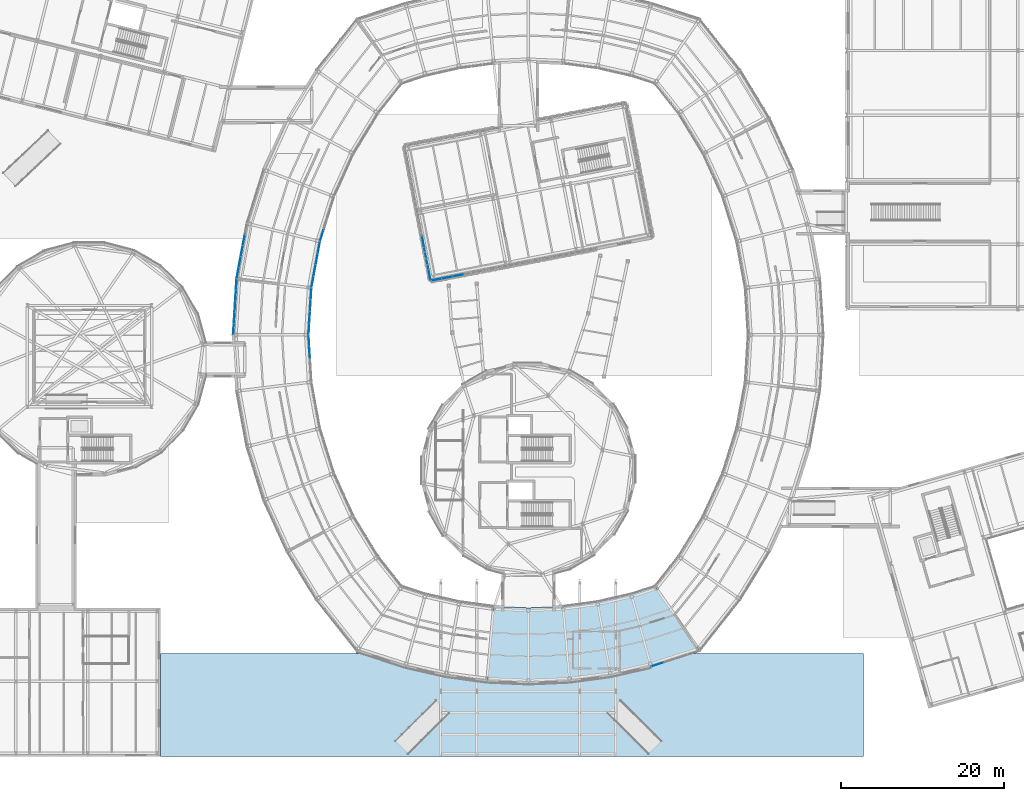
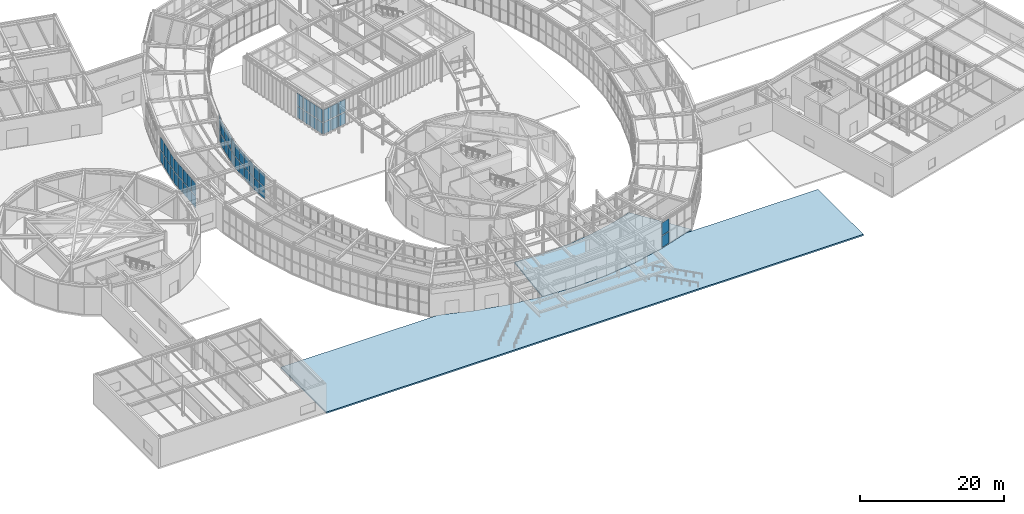
# One storey, part 57 of 97: 56 plates, 2 slabs, 9 elements without a shape of their own.
"""IFC4 building model written with IfcOpenShell, lengths in metres."""

from ifc_helpers import new_model, si_unit, direction, frame, origin, origin_2d, place, context, subcontext, project, spatial, polyline, rectangle, outline, extrude, material, layer, layer_set, type_object, element, aggregate, save


model = new_model("IFC4")

# Units and contexts
model_context = context("Model", 3, precision=1e-05, world=origin(), true_north=direction((0.0, 1.0)))
body_context = subcontext(model_context, "Body", "Model", "MODEL_VIEW")
ifc_project = project(units=[si_unit("LENGTHUNIT", "METRE"), si_unit("AREAUNIT", "SQUARE_METRE"), si_unit("VOLUMEUNIT", "CUBIC_METRE"), si_unit("PLANEANGLEUNIT", "RADIAN"), si_unit("MASSUNIT", "GRAM", prefix="KILO")], contexts=[model_context])

# Site, building, storey
site_placement = place(None, origin())
site = spatial("IfcSite", under=ifc_project, at=site_placement, CompositionType="ELEMENT")
building_placement = place(site_placement, origin())
building = spatial("IfcBuilding", under=site, at=building_placement, Name="Varnklinge Art Gallery", CompositionType="ELEMENT")
storey_placement = place(building_placement, origin())
storey = spatial("IfcBuildingStorey", under=building, at=storey_placement, Name="L00", CompositionType="ELEMENT", Elevation=0.0)

# Curtain wall, plates
ifc_material_1 = material(Name="Anodised Aluminium", Category="aluminium")
curtain_wall_type_1 = type_object("IfcCurtainWallType", Name="CW-R03", PredefinedType="USERDEFINED", material=ifc_material_1)
curtain_wall_1_placement = place(storey_placement, origin())
curtain_wall_1 = element("IfcCurtainWall", 1, at=curtain_wall_1_placement, inside=storey, type_object=curtain_wall_type_1, Name="L00 Curtain Wall CW-V2I-L00-24", ObjectType="UNITISED CURTAIN WALL", PredefinedType="USERDEFINED")
ifc_material_2 = material(Name="Insulated Low-E Triple Glazing", Category="glass")
ifc_layer_1 = layer(ifc_material_2, 0.031982421875)
ifc_layer_set_1 = layer_set([ifc_layer_1], Name="Insulated Low-E Triple Glazing")
plate_type_1 = type_object("IfcPlateType", Name="GLZ-32", PredefinedType="CURTAIN_PANEL", material=ifc_layer_set_1)
plate_1_placement = place(storey_placement, frame((50.2275390625, 67.129638671875, 0.1181640625), z_axis=(0.0, 0.0, 1.0), x_axis=(0.299706904751, 0.954031326134, 0.0)))
plate_1 = element("IfcPlate", 2, at=plate_1_placement, type_object=plate_type_1, Name="CW-V2I-L00-24 Glazing Panel 1.1", PredefinedType="CURTAIN_PANEL", context=body_context, shape_type="SweptSolid", body=[
    extrude(rectangle(XDim=1.355712890625, YDim=0.031982421875, at=origin_2d()), origin(), (0.0, 0.0, 1.0), 1.950439453125),
])
plate_2_placement = place(storey_placement, frame((50.2275390625, 67.129638671875, 2.1845703125), z_axis=(0.0, 0.0, 1.0), x_axis=(0.299706904751, 0.954031326134, 0.0)))
plate_2 = element("IfcPlate", 3, at=plate_2_placement, type_object=plate_type_1, Name="CW-V2I-L00-24 Glazing Panel 1.2", PredefinedType="CURTAIN_PANEL", context=body_context, shape_type="SweptSolid", body=[
    extrude(rectangle(XDim=1.355712890625, YDim=0.031982421875, at=origin_2d()), origin(), (0.0, 0.0, 1.0), 2.127685546875),
])
aggregate(curtain_wall_1, [plate_1, plate_2])

curtain_wall_2_placement = place(storey_placement, origin())
curtain_wall_2 = element("IfcCurtainWall", 4, at=curtain_wall_2_placement, inside=storey, type_object=curtain_wall_type_1, Name="L00 Curtain Wall CW-V2I-L00-25", ObjectType="UNITISED CURTAIN WALL", PredefinedType="USERDEFINED")
plate_3_placement = place(storey_placement, frame((49.093017578125, 61.47998046875, 0.1181640625), z_axis=(0.0, 0.0, 1.0), x_axis=(0.181549039717, 0.983381892338, 0.0)))
plate_3 = element("IfcPlate", 5, at=plate_3_placement, type_object=plate_type_1, Name="CW-V2I-L00-25 Glazing Panel 1.1", PredefinedType="CURTAIN_PANEL", context=body_context, shape_type="SweptSolid", body=[
    extrude(rectangle(XDim=1.355712890625, YDim=0.031982421875, at=origin_2d()), origin(), (0.0, 0.0, 1.0), 1.950439453125),
])
plate_4_placement = place(storey_placement, frame((49.093017578125, 61.47998046875, 2.1845703125), z_axis=(0.0, 0.0, 1.0), x_axis=(0.181549039717, 0.983381892338, 0.0)))
plate_4 = element("IfcPlate", 6, at=plate_4_placement, type_object=plate_type_1, Name="CW-V2I-L00-25 Glazing Panel 1.2", PredefinedType="CURTAIN_PANEL", context=body_context, shape_type="SweptSolid", body=[
    extrude(rectangle(XDim=1.355712890625, YDim=0.031982421875, at=origin_2d()), origin(), (0.0, 0.0, 1.0), 2.127685546875),
])
plate_5_placement = place(storey_placement, frame((49.352294921875, 62.883056640625, 0.1181640625), z_axis=(0.0, 0.0, 1.0), x_axis=(0.181549039717, 0.983381892338, 0.0)))
plate_5 = element("IfcPlate", 7, at=plate_5_placement, type_object=plate_type_1, Name="CW-V2I-L00-25 Glazing Panel 2.1", PredefinedType="CURTAIN_PANEL", context=body_context, shape_type="SweptSolid", body=[
    extrude(rectangle(XDim=1.3857421875, YDim=0.031982421875, at=origin_2d()), origin(), (0.0, 0.0, 1.0), 1.950439453125),
])
plate_6_placement = place(storey_placement, frame((49.352294921875, 62.883056640625, 2.1845703125), z_axis=(0.0, 0.0, 1.0), x_axis=(0.181549039717, 0.983381892338, 0.0)))
plate_6 = element("IfcPlate", 8, at=plate_6_placement, type_object=plate_type_1, Name="CW-V2I-L00-25 Glazing Panel 2.2", PredefinedType="CURTAIN_PANEL", context=body_context, shape_type="SweptSolid", body=[
    extrude(rectangle(XDim=1.3857421875, YDim=0.031982421875, at=origin_2d()), origin(), (0.0, 0.0, 1.0), 2.127685546875),
])
plate_7_placement = place(storey_placement, frame((49.614013671875, 64.30078125, 0.1181640625), z_axis=(0.0, 0.0, 1.0), x_axis=(0.181549039717, 0.983381892338, 0.0)))
plate_7 = element("IfcPlate", 9, at=plate_7_placement, type_object=plate_type_1, Name="CW-V2I-L00-25 Glazing Panel 3.1", PredefinedType="CURTAIN_PANEL", context=body_context, shape_type="SweptSolid", body=[
    extrude(rectangle(XDim=1.3857421875, YDim=0.031982421875, at=origin_2d()), origin(), (0.0, 0.0, 1.0), 1.950439453125),
])
plate_8_placement = place(storey_placement, frame((49.614013671875, 64.30078125, 2.1845703125), z_axis=(0.0, 0.0, 1.0), x_axis=(0.181549039717, 0.983381892338, 0.0)))
plate_8 = element("IfcPlate", 10, at=plate_8_placement, type_object=plate_type_1, Name="CW-V2I-L00-25 Glazing Panel 3.2", PredefinedType="CURTAIN_PANEL", context=body_context, shape_type="SweptSolid", body=[
    extrude(rectangle(XDim=1.3857421875, YDim=0.031982421875, at=origin_2d()), origin(), (0.0, 0.0, 1.0), 2.127685546875),
])
plate_9_placement = place(storey_placement, frame((49.873291015625, 65.703857421875, 0.1181640625), z_axis=(0.0, 0.0, 1.0), x_axis=(0.181549039717, 0.983381892338, 0.0)))
plate_9 = element("IfcPlate", 11, at=plate_9_placement, type_object=plate_type_1, Name="CW-V2I-L00-25 Glazing Panel 4.1", PredefinedType="CURTAIN_PANEL", context=body_context, shape_type="SweptSolid", body=[
    extrude(rectangle(XDim=1.355712890625, YDim=0.031982421875, at=origin_2d()), origin(), (0.0, 0.0, 1.0), 1.950439453125),
])
plate_10_placement = place(storey_placement, frame((49.873291015625, 65.703857421875, 2.1845703125), z_axis=(0.0, 0.0, 1.0), x_axis=(0.181549039717, 0.983381892338, 0.0)))
plate_10 = element("IfcPlate", 12, at=plate_10_placement, type_object=plate_type_1, Name="CW-V2I-L00-25 Glazing Panel 4.2", PredefinedType="CURTAIN_PANEL", context=body_context, shape_type="SweptSolid", body=[
    extrude(rectangle(XDim=1.355712890625, YDim=0.031982421875, at=origin_2d()), origin(), (0.0, 0.0, 1.0), 2.127685546875),
])
aggregate(curtain_wall_2, [plate_3, plate_4, plate_5, plate_6, plate_7, plate_8, plate_9, plate_10])

curtain_wall_3_placement = place(storey_placement, origin())
curtain_wall_3 = element("IfcCurtainWall", 13, at=curtain_wall_3_placement, inside=storey, type_object=curtain_wall_type_1, Name="L00 Curtain Wall CW-V2I-L00-26", ObjectType="UNITISED CURTAIN WALL", PredefinedType="USERDEFINED")
plate_11_placement = place(storey_placement, frame((48.6533203125, 55.734619140625, 0.1181640625), z_axis=(0.0, 0.0, 1.0), x_axis=(0.06087433122, 0.9981454382, 0.0)))
plate_11 = element("IfcPlate", 14, at=plate_11_placement, type_object=plate_type_1, Name="CW-V2I-L00-26 Glazing Panel 1.1", PredefinedType="CURTAIN_PANEL", context=body_context, shape_type="SweptSolid", body=[
    extrude(rectangle(XDim=1.355712890625, YDim=0.031982421875, at=origin_2d()), origin(), (0.0, 0.0, 1.0), 1.950439453125),
])
plate_12_placement = place(storey_placement, frame((48.6533203125, 55.734619140625, 2.1845703125), z_axis=(0.0, 0.0, 1.0), x_axis=(0.06087433122, 0.9981454382, 0.0)))
plate_12 = element("IfcPlate", 15, at=plate_12_placement, type_object=plate_type_1, Name="CW-V2I-L00-26 Glazing Panel 1.2", PredefinedType="CURTAIN_PANEL", context=body_context, shape_type="SweptSolid", body=[
    extrude(rectangle(XDim=1.355712890625, YDim=0.031982421875, at=origin_2d()), origin(), (0.0, 0.0, 1.0), 2.127685546875),
])
plate_13_placement = place(storey_placement, frame((48.739990234375, 57.15869140625, 0.1181640625), z_axis=(0.0, 0.0, 1.0), x_axis=(0.06087433122, 0.9981454382, 0.0)))
plate_13 = element("IfcPlate", 16, at=plate_13_placement, type_object=plate_type_1, Name="CW-V2I-L00-26 Glazing Panel 2.1", PredefinedType="CURTAIN_PANEL", context=body_context, shape_type="SweptSolid", body=[
    extrude(rectangle(XDim=1.3857421875, YDim=0.031982421875, at=origin_2d()), origin(), (0.0, 0.0, 1.0), 1.950439453125),
])
plate_14_placement = place(storey_placement, frame((48.739990234375, 57.15869140625, 2.1845703125), z_axis=(0.0, 0.0, 1.0), x_axis=(0.06087433122, 0.9981454382, 0.0)))
plate_14 = element("IfcPlate", 17, at=plate_14_placement, type_object=plate_type_1, Name="CW-V2I-L00-26 Glazing Panel 2.2", PredefinedType="CURTAIN_PANEL", context=body_context, shape_type="SweptSolid", body=[
    extrude(rectangle(XDim=1.3857421875, YDim=0.031982421875, at=origin_2d()), origin(), (0.0, 0.0, 1.0), 2.127685546875),
])
plate_15_placement = place(storey_placement, frame((48.827880859375, 58.59765625, 0.1181640625), z_axis=(0.0, 0.0, 1.0), x_axis=(0.06087433122, 0.9981454382, 0.0)))
plate_15 = element("IfcPlate", 18, at=plate_15_placement, type_object=plate_type_1, Name="CW-V2I-L00-26 Glazing Panel 3.1", PredefinedType="CURTAIN_PANEL", context=body_context, shape_type="SweptSolid", body=[
    extrude(rectangle(XDim=1.3857421875, YDim=0.031982421875, at=origin_2d()), origin(), (0.0, 0.0, 1.0), 1.950439453125),
])
plate_16_placement = place(storey_placement, frame((48.827880859375, 58.59765625, 2.1845703125), z_axis=(0.0, 0.0, 1.0), x_axis=(0.06087433122, 0.9981454382, 0.0)))
plate_16 = element("IfcPlate", 19, at=plate_16_placement, type_object=plate_type_1, Name="CW-V2I-L00-26 Glazing Panel 3.2", PredefinedType="CURTAIN_PANEL", context=body_context, shape_type="SweptSolid", body=[
    extrude(rectangle(XDim=1.3857421875, YDim=0.031982421875, at=origin_2d()), origin(), (0.0, 0.0, 1.0), 2.127685546875),
])
plate_17_placement = place(storey_placement, frame((48.91455078125, 60.02197265625, 0.1181640625), z_axis=(0.0, 0.0, 1.0), x_axis=(0.06087433122, 0.9981454382, 0.0)))
plate_17 = element("IfcPlate", 20, at=plate_17_placement, type_object=plate_type_1, Name="CW-V2I-L00-26 Glazing Panel 4.1", PredefinedType="CURTAIN_PANEL", context=body_context, shape_type="SweptSolid", body=[
    extrude(rectangle(XDim=1.355712890625, YDim=0.031982421875, at=origin_2d()), origin(), (0.0, 0.0, 1.0), 1.950439453125),
])
plate_18_placement = place(storey_placement, frame((48.91455078125, 60.02197265625, 2.1845703125), z_axis=(0.0, 0.0, 1.0), x_axis=(0.06087433122, 0.9981454382, 0.0)))
plate_18 = element("IfcPlate", 21, at=plate_18_placement, type_object=plate_type_1, Name="CW-V2I-L00-26 Glazing Panel 4.2", PredefinedType="CURTAIN_PANEL", context=body_context, shape_type="SweptSolid", body=[
    extrude(rectangle(XDim=1.355712890625, YDim=0.031982421875, at=origin_2d()), origin(), (0.0, 0.0, 1.0), 2.127685546875),
])
aggregate(curtain_wall_3, [plate_11, plate_12, plate_13, plate_14, plate_15, plate_16, plate_17, plate_18])

curtain_wall_4_placement = place(storey_placement, origin())
curtain_wall_4 = element("IfcCurtainWall", 22, at=curtain_wall_4_placement, inside=storey, type_object=curtain_wall_type_1, Name="L00 Curtain Wall CW-V2I-L00-27", ObjectType="UNITISED CURTAIN WALL", PredefinedType="USERDEFINED")
plate_19_placement = place(storey_placement, frame((48.739990234375, 52.84130859375, 0.1181640625), z_axis=(0.0, 0.0, 1.0), x_axis=(-0.06087433122, 0.9981454382, 0.0)))
plate_19 = element("IfcPlate", 23, at=plate_19_placement, type_object=plate_type_1, Name="CW-V2I-L00-27 Glazing Panel 3.1", PredefinedType="CURTAIN_PANEL", context=body_context, shape_type="SweptSolid", body=[
    extrude(rectangle(XDim=1.3857421875, YDim=0.031982421875, at=origin_2d()), origin(), (0.0, 0.0, 1.0), 1.950439453125),
])
plate_20_placement = place(storey_placement, frame((48.739990234375, 52.84130859375, 2.1845703125), z_axis=(0.0, 0.0, 1.0), x_axis=(-0.06087433122, 0.9981454382, 0.0)))
plate_20 = element("IfcPlate", 24, at=plate_20_placement, type_object=plate_type_1, Name="CW-V2I-L00-27 Glazing Panel 3.2", PredefinedType="CURTAIN_PANEL", context=body_context, shape_type="SweptSolid", body=[
    extrude(rectangle(XDim=1.3857421875, YDim=0.031982421875, at=origin_2d()), origin(), (0.0, 0.0, 1.0), 2.127685546875),
])
plate_21_placement = place(storey_placement, frame((48.6533203125, 54.265380859375, 0.1181640625), z_axis=(0.0, 0.0, 1.0), x_axis=(-0.06087433122, 0.9981454382, 0.0)))
plate_21 = element("IfcPlate", 25, at=plate_21_placement, type_object=plate_type_1, Name="CW-V2I-L00-27 Glazing Panel 4.1", PredefinedType="CURTAIN_PANEL", context=body_context, shape_type="SweptSolid", body=[
    extrude(rectangle(XDim=1.355712890625, YDim=0.031982421875, at=origin_2d()), origin(), (0.0, 0.0, 1.0), 1.950439453125),
])
plate_22_placement = place(storey_placement, frame((48.6533203125, 54.265380859375, 2.1845703125), z_axis=(0.0, 0.0, 1.0), x_axis=(-0.06087433122, 0.9981454382, 0.0)))
plate_22 = element("IfcPlate", 26, at=plate_22_placement, type_object=plate_type_1, Name="CW-V2I-L00-27 Glazing Panel 4.2", PredefinedType="CURTAIN_PANEL", context=body_context, shape_type="SweptSolid", body=[
    extrude(rectangle(XDim=1.355712890625, YDim=0.031982421875, at=origin_2d()), origin(), (0.0, 0.0, 1.0), 2.127685546875),
])
aggregate(curtain_wall_4, [plate_19, plate_20, plate_21, plate_22])

ifc_material_3 = material(Name="Anodised Aluminium", Category="aluminium")
curtain_wall_type_2 = type_object("IfcCurtainWallType", Name="CW-R01", PredefinedType="USERDEFINED", material=ifc_material_3)
curtain_wall_5_placement = place(storey_placement, origin())
curtain_wall_5 = element("IfcCurtainWall", 27, at=curtain_wall_5_placement, inside=storey, type_object=curtain_wall_type_2, Name="L00 Curtain Wall CW-V2O-L00-25", ObjectType="UNITISED CURTAIN WALL", PredefinedType="USERDEFINED")
ifc_material_4 = material(Name="Insulated Low-E Triple Glazing", Category="glass")
ifc_layer_2 = layer(ifc_material_4, 0.0380859375)
ifc_layer_set_2 = layer_set([ifc_layer_2], Name="Insulated Low-E Triple Glazing")
plate_type_2 = type_object("IfcPlateType", Name="GLZ-38", PredefinedType="CURTAIN_PANEL", material=ifc_layer_set_2)
plate_23_placement = place(storey_placement, frame((40.6865234375, 66.617919921875, 0.14794921875), z_axis=(0.0, 0.0, 1.0), x_axis=(-0.18172066947, -0.983350191075, 0.0)))
plate_23 = element("IfcPlate", 28, at=plate_23_placement, type_object=plate_type_2, Name="CW-V2O-L00-25 Glazing Panel 2.1", PredefinedType="CURTAIN_PANEL", context=body_context, shape_type="SweptSolid", body=[
    extrude(rectangle(XDim=1.31689453125, YDim=0.0380859375, at=origin_2d()), origin(), (0.0, 0.0, 1.0), 1.905517578125),
])
plate_24_placement = place(storey_placement, frame((40.6865234375, 66.617919921875, 2.199462890625), z_axis=(0.0, 0.0, 1.0), x_axis=(-0.18172066947, -0.983350191075, 0.0)))
plate_24 = element("IfcPlate", 29, at=plate_24_placement, type_object=plate_type_2, Name="CW-V2O-L00-25 Glazing Panel 2.2", PredefinedType="CURTAIN_PANEL", context=body_context, shape_type="SweptSolid", body=[
    extrude(rectangle(XDim=1.31689453125, YDim=0.0380859375, at=origin_2d()), origin(), (0.0, 0.0, 1.0), 2.08251953125),
])
plate_25_placement = place(storey_placement, frame((40.436279296875, 65.26318359375, 0.14794921875), z_axis=(0.0, 0.0, 1.0), x_axis=(-0.18172066947, -0.983350191075, 0.0)))
plate_25 = element("IfcPlate", 30, at=plate_25_placement, type_object=plate_type_2, Name="CW-V2O-L00-25 Glazing Panel 3.1", PredefinedType="CURTAIN_PANEL", context=body_context, shape_type="SweptSolid", body=[
    extrude(rectangle(XDim=1.31689453125, YDim=0.0380859375, at=origin_2d()), origin(), (0.0, 0.0, 1.0), 1.905517578125),
])
plate_26_placement = place(storey_placement, frame((40.436279296875, 65.26318359375, 2.199462890625), z_axis=(0.0, 0.0, 1.0), x_axis=(-0.18172066947, -0.983350191075, 0.0)))
plate_26 = element("IfcPlate", 31, at=plate_26_placement, type_object=plate_type_2, Name="CW-V2O-L00-25 Glazing Panel 3.2", PredefinedType="CURTAIN_PANEL", context=body_context, shape_type="SweptSolid", body=[
    extrude(rectangle(XDim=1.31689453125, YDim=0.0380859375, at=origin_2d()), origin(), (0.0, 0.0, 1.0), 2.08251953125),
])
plate_27_placement = place(storey_placement, frame((40.18603515625, 63.908203125, 0.14794921875), z_axis=(0.0, 0.0, 1.0), x_axis=(-0.18172066947, -0.983350191075, 0.0)))
plate_27 = element("IfcPlate", 32, at=plate_27_placement, type_object=plate_type_2, Name="CW-V2O-L00-25 Glazing Panel 4.1", PredefinedType="CURTAIN_PANEL", context=body_context, shape_type="SweptSolid", body=[
    extrude(rectangle(XDim=1.31689453125, YDim=0.0380859375, at=origin_2d()), origin(), (0.0, 0.0, 1.0), 1.905517578125),
])
plate_28_placement = place(storey_placement, frame((40.18603515625, 63.908203125, 2.199462890625), z_axis=(0.0, 0.0, 1.0), x_axis=(-0.18172066947, -0.983350191075, 0.0)))
plate_28 = element("IfcPlate", 33, at=plate_28_placement, type_object=plate_type_2, Name="CW-V2O-L00-25 Glazing Panel 4.2", PredefinedType="CURTAIN_PANEL", context=body_context, shape_type="SweptSolid", body=[
    extrude(rectangle(XDim=1.31689453125, YDim=0.0380859375, at=origin_2d()), origin(), (0.0, 0.0, 1.0), 2.08251953125),
])
plate_29_placement = place(storey_placement, frame((39.938720703125, 62.5693359375, 0.14794921875), z_axis=(0.0, 0.0, 1.0), x_axis=(-0.18172066947, -0.983350191075, 0.0)))
plate_29 = element("IfcPlate", 34, at=plate_29_placement, type_object=plate_type_2, Name="CW-V2O-L00-25 Glazing Panel 5.1", PredefinedType="CURTAIN_PANEL", context=body_context, shape_type="SweptSolid", body=[
    extrude(rectangle(XDim=1.2841796875, YDim=0.0380859375, at=origin_2d()), origin(), (0.0, 0.0, 1.0), 1.905517578125),
])
plate_30_placement = place(storey_placement, frame((39.938720703125, 62.5693359375, 2.199462890625), z_axis=(0.0, 0.0, 1.0), x_axis=(-0.18172066947, -0.983350191075, 0.0)))
plate_30 = element("IfcPlate", 35, at=plate_30_placement, type_object=plate_type_2, Name="CW-V2O-L00-25 Glazing Panel 5.2", PredefinedType="CURTAIN_PANEL", context=body_context, shape_type="SweptSolid", body=[
    extrude(rectangle(XDim=1.2841796875, YDim=0.0380859375, at=origin_2d()), origin(), (0.0, 0.0, 1.0), 2.08251953125),
])
aggregate(curtain_wall_5, [plate_23, plate_24, plate_25, plate_26, plate_27, plate_28, plate_29, plate_30])

curtain_wall_6_placement = place(storey_placement, origin())
curtain_wall_6 = element("IfcCurtainWall", 36, at=curtain_wall_6_placement, inside=storey, type_object=curtain_wall_type_2, Name="L00 Curtain Wall CW-V2O-L00-26", ObjectType="UNITISED CURTAIN WALL", PredefinedType="USERDEFINED")
plate_31_placement = place(storey_placement, frame((39.767578125, 61.172119140625, 0.14794921875), z_axis=(0.0, 0.0, 1.0), x_axis=(-0.06087433122, -0.9981454382, 0.0)))
plate_31 = element("IfcPlate", 37, at=plate_31_placement, type_object=plate_type_2, Name="CW-V2O-L00-26 Glazing Panel 1.1", PredefinedType="CURTAIN_PANEL", context=body_context, shape_type="SweptSolid", body=[
    extrude(rectangle(XDim=1.2841796875, YDim=0.0380859375, at=origin_2d()), origin(), (0.0, 0.0, 1.0), 1.905517578125),
])
plate_32_placement = place(storey_placement, frame((39.767578125, 61.172119140625, 2.199462890625), z_axis=(0.0, 0.0, 1.0), x_axis=(-0.06087433122, -0.9981454382, 0.0)))
plate_32 = element("IfcPlate", 38, at=plate_32_placement, type_object=plate_type_2, Name="CW-V2O-L00-26 Glazing Panel 1.2", PredefinedType="CURTAIN_PANEL", context=body_context, shape_type="SweptSolid", body=[
    extrude(rectangle(XDim=1.2841796875, YDim=0.0380859375, at=origin_2d()), origin(), (0.0, 0.0, 1.0), 2.08251953125),
])
plate_33_placement = place(storey_placement, frame((39.684814453125, 59.813232421875, 0.14794921875), z_axis=(0.0, 0.0, 1.0), x_axis=(-0.06087433122, -0.9981454382, 0.0)))
plate_33 = element("IfcPlate", 39, at=plate_33_placement, type_object=plate_type_2, Name="CW-V2O-L00-26 Glazing Panel 2.1", PredefinedType="CURTAIN_PANEL", context=body_context, shape_type="SweptSolid", body=[
    extrude(rectangle(XDim=1.31689453125, YDim=0.0380859375, at=origin_2d()), origin(), (0.0, 0.0, 1.0), 1.905517578125),
])
plate_34_placement = place(storey_placement, frame((39.684814453125, 59.813232421875, 2.199462890625), z_axis=(0.0, 0.0, 1.0), x_axis=(-0.06087433122, -0.9981454382, 0.0)))
plate_34 = element("IfcPlate", 40, at=plate_34_placement, type_object=plate_type_2, Name="CW-V2O-L00-26 Glazing Panel 2.2", PredefinedType="CURTAIN_PANEL", context=body_context, shape_type="SweptSolid", body=[
    extrude(rectangle(XDim=1.31689453125, YDim=0.0380859375, at=origin_2d()), origin(), (0.0, 0.0, 1.0), 2.08251953125),
])
plate_35_placement = place(storey_placement, frame((39.60107421875, 58.43798828125, 0.14794921875), z_axis=(0.0, 0.0, 1.0), x_axis=(-0.06087433122, -0.9981454382, 0.0)))
plate_35 = element("IfcPlate", 41, at=plate_35_placement, type_object=plate_type_2, Name="CW-V2O-L00-26 Glazing Panel 3.1", PredefinedType="CURTAIN_PANEL", context=body_context, shape_type="SweptSolid", body=[
    extrude(rectangle(XDim=1.31689453125, YDim=0.0380859375, at=origin_2d()), origin(), (0.0, 0.0, 1.0), 1.905517578125),
])
plate_36_placement = place(storey_placement, frame((39.60107421875, 58.43798828125, 2.199462890625), z_axis=(0.0, 0.0, 1.0), x_axis=(-0.06087433122, -0.9981454382, 0.0)))
plate_36 = element("IfcPlate", 42, at=plate_36_placement, type_object=plate_type_2, Name="CW-V2O-L00-26 Glazing Panel 3.2", PredefinedType="CURTAIN_PANEL", context=body_context, shape_type="SweptSolid", body=[
    extrude(rectangle(XDim=1.31689453125, YDim=0.0380859375, at=origin_2d()), origin(), (0.0, 0.0, 1.0), 2.08251953125),
])
plate_37_placement = place(storey_placement, frame((39.51708984375, 57.062744140625, 0.14794921875), z_axis=(0.0, 0.0, 1.0), x_axis=(-0.06087433122, -0.9981454382, 0.0)))
plate_37 = element("IfcPlate", 43, at=plate_37_placement, type_object=plate_type_2, Name="CW-V2O-L00-26 Glazing Panel 4.1", PredefinedType="CURTAIN_PANEL", context=body_context, shape_type="SweptSolid", body=[
    extrude(rectangle(XDim=1.31689453125, YDim=0.0380859375, at=origin_2d()), origin(), (0.0, 0.0, 1.0), 1.905517578125),
])
plate_38_placement = place(storey_placement, frame((39.51708984375, 57.062744140625, 2.199462890625), z_axis=(0.0, 0.0, 1.0), x_axis=(-0.06087433122, -0.9981454382, 0.0)))
plate_38 = element("IfcPlate", 44, at=plate_38_placement, type_object=plate_type_2, Name="CW-V2O-L00-26 Glazing Panel 4.2", PredefinedType="CURTAIN_PANEL", context=body_context, shape_type="SweptSolid", body=[
    extrude(rectangle(XDim=1.31689453125, YDim=0.0380859375, at=origin_2d()), origin(), (0.0, 0.0, 1.0), 2.08251953125),
])
plate_39_placement = place(storey_placement, frame((39.434326171875, 55.703857421875, 0.14794921875), z_axis=(0.0, 0.0, 1.0), x_axis=(-0.06087433122, -0.9981454382, 0.0)))
plate_39 = element("IfcPlate", 45, at=plate_39_placement, type_object=plate_type_2, Name="CW-V2O-L00-26 Glazing Panel 5.1", PredefinedType="CURTAIN_PANEL", context=body_context, shape_type="SweptSolid", body=[
    extrude(rectangle(XDim=1.2841796875, YDim=0.0380859375, at=origin_2d()), origin(), (0.0, 0.0, 1.0), 1.905517578125),
])
plate_40_placement = place(storey_placement, frame((39.434326171875, 55.703857421875, 2.199462890625), z_axis=(0.0, 0.0, 1.0), x_axis=(-0.06087433122, -0.9981454382, 0.0)))
plate_40 = element("IfcPlate", 46, at=plate_40_placement, type_object=plate_type_2, Name="CW-V2O-L00-26 Glazing Panel 5.2", PredefinedType="CURTAIN_PANEL", context=body_context, shape_type="SweptSolid", body=[
    extrude(rectangle(XDim=1.2841796875, YDim=0.0380859375, at=origin_2d()), origin(), (0.0, 0.0, 1.0), 2.08251953125),
])
aggregate(curtain_wall_6, [plate_31, plate_32, plate_33, plate_34, plate_35, plate_36, plate_37, plate_38, plate_39, plate_40])

curtain_wall_7_placement = place(storey_placement, origin())
curtain_wall_7 = element("IfcCurtainWall", 47, at=curtain_wall_7_placement, inside=storey, type_object=curtain_wall_type_2, Name="L00 Curtain Wall CW-V2O-L00-40", ObjectType="UNITISED CURTAIN WALL", PredefinedType="USERDEFINED")
plate_41_placement = place(storey_placement, frame((91.281494140625, 14.671142578125, 0.14794921875), z_axis=(0.0, 0.0, 1.0), x_axis=(0.951272019071, 0.30835295642, 0.0)))
plate_41 = element("IfcPlate", 48, at=plate_41_placement, type_object=plate_type_2, Name="CW-V2O-L00-40 Glazing Panel 1.1", PredefinedType="CURTAIN_PANEL", context=body_context, shape_type="SweptSolid", body=[
    extrude(rectangle(XDim=1.469482421875, YDim=0.0380859375, at=origin_2d()), origin(), (0.0, 0.0, 1.0), 1.905517578125),
])
plate_42_placement = place(storey_placement, frame((91.281494140625, 14.671142578125, 2.199462890625), z_axis=(0.0, 0.0, 1.0), x_axis=(0.951272019071, 0.30835295642, 0.0)))
plate_42 = element("IfcPlate", 49, at=plate_42_placement, type_object=plate_type_2, Name="CW-V2O-L00-40 Glazing Panel 1.2", PredefinedType="CURTAIN_PANEL", context=body_context, shape_type="SweptSolid", body=[
    extrude(rectangle(XDim=1.469482421875, YDim=0.0380859375, at=origin_2d()), origin(), (0.0, 0.0, 1.0), 2.08251953125),
])
aggregate(curtain_wall_7, [plate_41, plate_42])

ifc_material_5 = material(Name="Anodised Aluminium", Category="aluminium")
curtain_wall_type_3 = type_object("IfcCurtainWallType", Name="CW-L01", PredefinedType="USERDEFINED", material=ifc_material_5)
curtain_wall_8_placement = place(storey_placement, origin())
curtain_wall_8 = element("IfcCurtainWall", 50, at=curtain_wall_8_placement, inside=storey, type_object=curtain_wall_type_3, Name="L00 Curtain Wall CW-V4B-L00-1-1-1", ObjectType="UNITISED CURTAIN WALL", PredefinedType="USERDEFINED")
ifc_material_6 = material(Name="Insulated Low-E Triple Glazing", Category="glass")
ifc_layer_3 = layer(ifc_material_6, 0.0439453125)
ifc_layer_set_3 = layer_set([ifc_layer_3], Name="Insulated Low-E Triple Glazing")
plate_type_3 = type_object("IfcPlateType", Name="GLZ-44", PredefinedType="CURTAIN_PANEL", material=ifc_layer_set_3)
plate_43_placement = place(storey_placement, frame((64.251953125, 61.75634765625, 0.14794921875), z_axis=(0.0, 0.0, 1.0), x_axis=(0.981627183448, 0.190808995377, 0.0)))
plate_43 = element("IfcPlate", 51, at=plate_43_placement, type_object=plate_type_3, Name="CW-V4B-L00-1-1-1 Glazing Panel 1.1", PredefinedType="CURTAIN_PANEL", context=body_context, shape_type="SweptSolid", body=[
    extrude(rectangle(XDim=1.271484375, YDim=0.0439453125, at=origin_2d()), origin(), (0.0, 0.0, 1.0), 1.905517578125),
])
plate_44_placement = place(storey_placement, frame((64.251953125, 61.75634765625, 2.199462890625), z_axis=(0.0, 0.0, 1.0), x_axis=(0.981627183448, 0.190808995377, 0.0)))
plate_44 = element("IfcPlate", 52, at=plate_44_placement, type_object=plate_type_3, Name="CW-V4B-L00-1-1-1 Glazing Panel 1.2", PredefinedType="CURTAIN_PANEL", context=body_context, shape_type="SweptSolid", body=[
    extrude(rectangle(XDim=1.271484375, YDim=0.0439453125, at=origin_2d()), origin(), (0.0, 0.0, 1.0), 2.08251953125),
])
plate_45_placement = place(storey_placement, frame((65.58837890625, 62.01611328125, 0.14794921875), z_axis=(0.0, 0.0, 1.0), x_axis=(0.981627183448, 0.190808995377, 0.0)))
plate_45 = element("IfcPlate", 53, at=plate_45_placement, type_object=plate_type_3, Name="CW-V4B-L00-1-1-1 Glazing Panel 2.1", PredefinedType="CURTAIN_PANEL", context=body_context, shape_type="SweptSolid", body=[
    extrude(rectangle(XDim=1.30908203125, YDim=0.0439453125, at=origin_2d()), origin(), (0.0, 0.0, 1.0), 1.905517578125),
])
plate_46_placement = place(storey_placement, frame((65.58837890625, 62.01611328125, 2.199462890625), z_axis=(0.0, 0.0, 1.0), x_axis=(0.981627183448, 0.190808995377, 0.0)))
plate_46 = element("IfcPlate", 54, at=plate_46_placement, type_object=plate_type_3, Name="CW-V4B-L00-1-1-1 Glazing Panel 2.2", PredefinedType="CURTAIN_PANEL", context=body_context, shape_type="SweptSolid", body=[
    extrude(rectangle(XDim=1.30908203125, YDim=0.0439453125, at=origin_2d()), origin(), (0.0, 0.0, 1.0), 2.08251953125),
])
plate_47_placement = place(storey_placement, frame((66.94287109375, 62.279541015625, 0.14794921875), z_axis=(0.0, 0.0, 1.0), x_axis=(0.981627183448, 0.190808995377, 0.0)))
plate_47 = element("IfcPlate", 55, at=plate_47_placement, type_object=plate_type_3, Name="CW-V4B-L00-1-1-1 Glazing Panel 3.1", PredefinedType="CURTAIN_PANEL", context=body_context, shape_type="SweptSolid", body=[
    extrude(rectangle(XDim=1.30908203125, YDim=0.0439453125, at=origin_2d()), origin(), (0.0, 0.0, 1.0), 1.905517578125),
])
plate_48_placement = place(storey_placement, frame((66.94287109375, 62.279541015625, 2.199462890625), z_axis=(0.0, 0.0, 1.0), x_axis=(0.981627183448, 0.190808995377, 0.0)))
plate_48 = element("IfcPlate", 56, at=plate_48_placement, type_object=plate_type_3, Name="CW-V4B-L00-1-1-1 Glazing Panel 3.2", PredefinedType="CURTAIN_PANEL", context=body_context, shape_type="SweptSolid", body=[
    extrude(rectangle(XDim=1.30908203125, YDim=0.0439453125, at=origin_2d()), origin(), (0.0, 0.0, 1.0), 2.08251953125),
])
aggregate(curtain_wall_8, [plate_43, plate_44, plate_45, plate_46, plate_47, plate_48])

ifc_material_7 = material(Name="Anodised Aluminium", Category="aluminium")
curtain_wall_type_4 = type_object("IfcCurtainWallType", Name="CW-L05", PredefinedType="USERDEFINED", material=ifc_material_7)
curtain_wall_9_placement = place(storey_placement, origin())
curtain_wall_9 = element("IfcCurtainWall", 57, at=curtain_wall_9_placement, inside=storey, type_object=curtain_wall_type_4, Name="L00 Curtain Wall CW-V4B-L00-4-1-3", ObjectType="UNITISED CURTAIN WALL", PredefinedType="USERDEFINED")
plate_49_placement = place(storey_placement, frame((62.625, 66.412841796875, 0.14794921875), z_axis=(0.0, 0.0, 1.0), x_axis=(0.190808995377, -0.981627183448, 0.0)))
plate_49 = element("IfcPlate", 58, at=plate_49_placement, type_object=plate_type_3, Name="CW-V4B-L00-4-1-3 Glazing Panel 1.1", PredefinedType="CURTAIN_PANEL", context=body_context, shape_type="SweptSolid", body=[
    extrude(rectangle(XDim=1.29150390625, YDim=0.0439453125, at=origin_2d()), origin(), (0.0, 0.0, 1.0), 1.905517578125),
])
plate_50_placement = place(storey_placement, frame((62.625, 66.412841796875, 2.199462890625), z_axis=(0.0, 0.0, 1.0), x_axis=(0.190808995377, -0.981627183448, 0.0)))
plate_50 = element("IfcPlate", 59, at=plate_50_placement, type_object=plate_type_3, Name="CW-V4B-L00-4-1-3 Glazing Panel 1.2", PredefinedType="CURTAIN_PANEL", context=body_context, shape_type="SweptSolid", body=[
    extrude(rectangle(XDim=1.29150390625, YDim=0.0439453125, at=origin_2d()), origin(), (0.0, 0.0, 1.0), 2.08251953125),
])
plate_51_placement = place(storey_placement, frame((62.888427734375, 65.056884765625, 0.14794921875), z_axis=(0.0, 0.0, 1.0), x_axis=(0.190808995377, -0.981627183448, 0.0)))
plate_51 = element("IfcPlate", 60, at=plate_51_placement, type_object=plate_type_3, Name="CW-V4B-L00-4-1-3 Glazing Panel 2.1", PredefinedType="CURTAIN_PANEL", context=body_context, shape_type="SweptSolid", body=[
    extrude(rectangle(XDim=1.3291015625, YDim=0.0439453125, at=origin_2d()), origin(), (0.0, 0.0, 1.0), 1.905517578125),
])
plate_52_placement = place(storey_placement, frame((62.888427734375, 65.056884765625, 2.199462890625), z_axis=(0.0, 0.0, 1.0), x_axis=(0.190808995377, -0.981627183448, 0.0)))
plate_52 = element("IfcPlate", 61, at=plate_52_placement, type_object=plate_type_3, Name="CW-V4B-L00-4-1-3 Glazing Panel 2.2", PredefinedType="CURTAIN_PANEL", context=body_context, shape_type="SweptSolid", body=[
    extrude(rectangle(XDim=1.3291015625, YDim=0.0439453125, at=origin_2d()), origin(), (0.0, 0.0, 1.0), 2.08251953125),
])
plate_53_placement = place(storey_placement, frame((63.155517578125, 63.6826171875, 0.14794921875), z_axis=(0.0, 0.0, 1.0), x_axis=(0.190808995377, -0.981627183448, 0.0)))
plate_53 = element("IfcPlate", 62, at=plate_53_placement, type_object=plate_type_3, Name="CW-V4B-L00-4-1-3 Glazing Panel 3.1", PredefinedType="CURTAIN_PANEL", context=body_context, shape_type="SweptSolid", body=[
    extrude(rectangle(XDim=1.3291015625, YDim=0.0439453125, at=origin_2d()), origin(), (0.0, 0.0, 1.0), 1.905517578125),
])
plate_54_placement = place(storey_placement, frame((63.155517578125, 63.6826171875, 2.199462890625), z_axis=(0.0, 0.0, 1.0), x_axis=(0.190808995377, -0.981627183448, 0.0)))
plate_54 = element("IfcPlate", 63, at=plate_54_placement, type_object=plate_type_3, Name="CW-V4B-L00-4-1-3 Glazing Panel 3.2", PredefinedType="CURTAIN_PANEL", context=body_context, shape_type="SweptSolid", body=[
    extrude(rectangle(XDim=1.3291015625, YDim=0.0439453125, at=origin_2d()), origin(), (0.0, 0.0, 1.0), 2.08251953125),
])
plate_55_placement = place(storey_placement, frame((63.419189453125, 62.32666015625, 0.14794921875), z_axis=(0.0, 0.0, 1.0), x_axis=(0.190808995377, -0.981627183448, 0.0)))
plate_55 = element("IfcPlate", 64, at=plate_55_placement, type_object=plate_type_3, Name="CW-V4B-L00-4-1-3 Glazing Panel 4.1", PredefinedType="CURTAIN_PANEL", context=body_context, shape_type="SweptSolid", body=[
    extrude(rectangle(XDim=1.29150390625, YDim=0.0439453125, at=origin_2d()), origin(), (0.0, 0.0, 1.0), 1.905517578125),
])
plate_56_placement = place(storey_placement, frame((63.419189453125, 62.32666015625, 2.199462890625), z_axis=(0.0, 0.0, 1.0), x_axis=(0.190808995377, -0.981627183448, 0.0)))
plate_56 = element("IfcPlate", 65, at=plate_56_placement, type_object=plate_type_3, Name="CW-V4B-L00-4-1-3 Glazing Panel 4.2", PredefinedType="CURTAIN_PANEL", context=body_context, shape_type="SweptSolid", body=[
    extrude(rectangle(XDim=1.29150390625, YDim=0.0439453125, at=origin_2d()), origin(), (0.0, 0.0, 1.0), 2.08251953125),
])
aggregate(curtain_wall_9, [plate_49, plate_50, plate_51, plate_52, plate_53, plate_54, plate_55, plate_56])

# Slabs
ifc_material_8 = material(Name="Concrete C40/50", Category="concrete")
ifc_layer_4 = layer(ifc_material_8, 0.25)
ifc_layer_set_4 = layer_set([ifc_layer_4], Name="Concrete C40/50")
slab_type_1 = type_object("IfcSlabType", Name="SLB-APRON", PredefinedType="FLOOR", material=ifc_layer_set_4)
slab_1_placement = place(storey_placement, frame((0.0, 0.0, -0.25)))
element("IfcSlab", 66, at=slab_1_placement, inside=storey, type_object=slab_type_1, Name="L00 South Forecourt Entrance Apron", PredefinedType="FLOOR", context=body_context, shape_type="SweptSolid", body=[
    extrude(outline(polyline([(55.617919921875, 16.0), (30.5, 16.0), (30.5, 3.39990234375), (116.5, 3.39990234375), (116.5, 16.0), (95.382080078125, 16.0), (90.522705078125, 14.42529296875), (85.58251953125, 13.300537109375), (80.5615234375, 12.6220703125), (75.5, 12.3955078125), (70.4384765625, 12.6220703125), (65.41748046875, 13.300537109375), (60.477294921875, 14.42529296875), (55.617919921875, 16.0)])), origin(), (0.0, 0.0, 1.0), 0.25),
])
ifc_material_9 = material(Name="Concrete C35/45", Category="concrete")
ifc_layer_5 = layer(ifc_material_9, 0.25)
ifc_layer_set_5 = layer_set([ifc_layer_5], Name="Concrete C35/45")
slab_type_2 = type_object("IfcSlabType", Name="SLB-F25", PredefinedType="FLOOR", material=ifc_layer_set_5)
slab_2_placement = place(storey_placement, frame((0.0, 0.0, -0.25)))
element("IfcSlab", 67, at=slab_2_placement, inside=storey, type_object=slab_type_2, Name="L00 Curved Gallery Ring Sector 8", PredefinedType="FLOOR", context=body_context, shape_type="SweptSolid", body=[
    extrude(outline(polyline([(75.5, 12.3955078125), (80.5615234375, 12.6220703125), (85.58251953125, 13.300537109375), (90.522705078125, 14.42529296875), (96.470703125, 16.352783203125), (90.986083984375, 24.246337890625), (88.07861328125, 23.30419921875), (83.942138671875, 22.362548828125), (79.738037109375, 21.79443359375), (75.5, 21.6044921875), (71.261962890625, 21.79443359375), (70.4384765625, 12.6220703125), (75.5, 12.3955078125)])), origin(), (0.0, 0.0, 1.0), 0.25),
])

save(model, "model.ifc")
